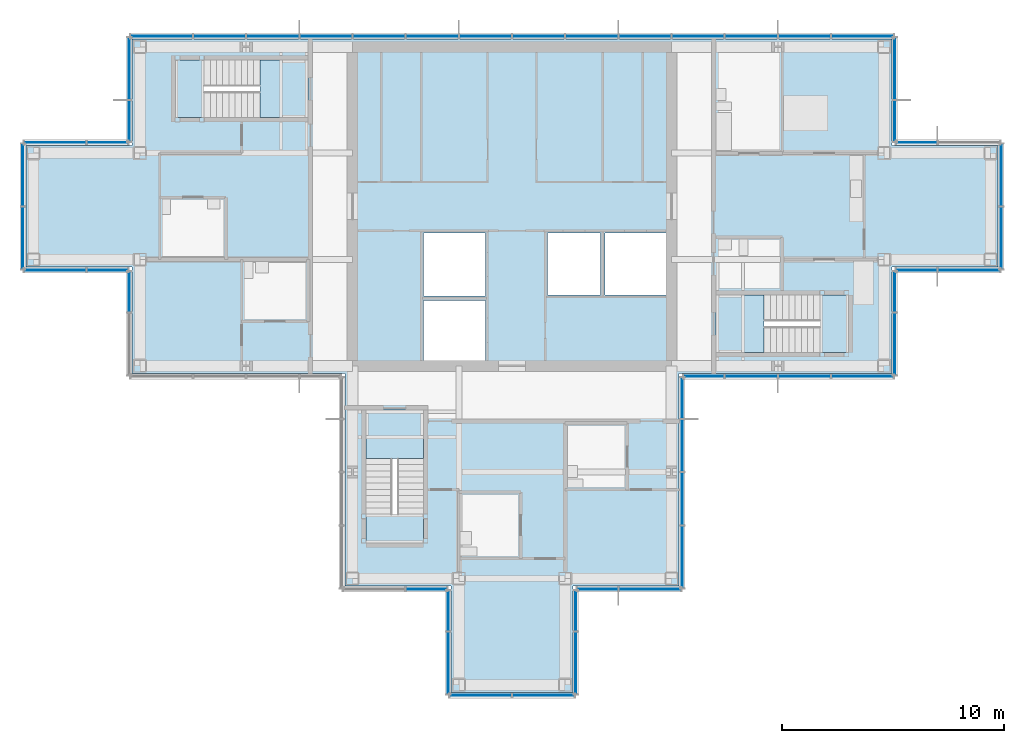
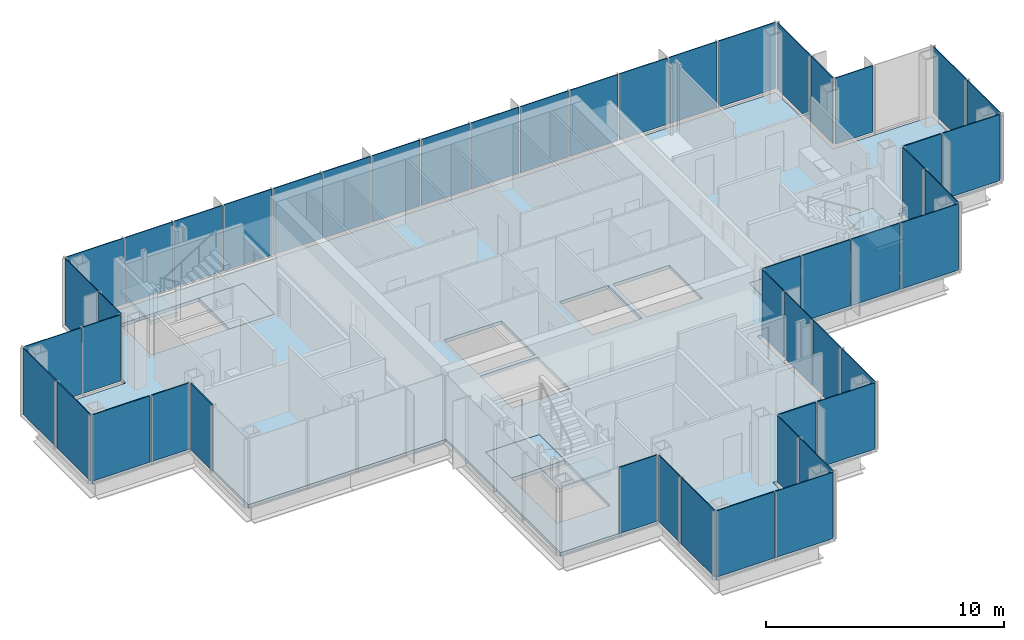
# One storey, part 9 of 15: 49 plates, 7 slabs, 21 elements without a shape of their own.
"""IFC4 building model written with IfcOpenShell, lengths in metres."""

from ifc_helpers import new_model, si_unit, direction, frame, origin, origin_2d, place, context, subcontext, project, spatial, polyline, rectangle, outline, extrude, material, layer, layer_set, type_object, element, aggregate, save


model = new_model("IFC4")

# Units and contexts
model_context = context("Model", 3, precision=1e-05, world=origin(), true_north=direction((0.0, 1.0)))
body_context = subcontext(model_context, "Body", "Model", "MODEL_VIEW")
ifc_project = project(units=[si_unit("LENGTHUNIT", "METRE"), si_unit("AREAUNIT", "SQUARE_METRE"), si_unit("VOLUMEUNIT", "CUBIC_METRE"), si_unit("PLANEANGLEUNIT", "RADIAN"), si_unit("MASSUNIT", "GRAM", prefix="KILO")], contexts=[model_context])

# Site, building, storey
site_placement = place(None, origin())
site = spatial("IfcSite", under=ifc_project, at=site_placement, CompositionType="ELEMENT")
building_placement = place(site_placement, origin())
building = spatial("IfcBuilding", under=site, at=building_placement, Name="Kvirike Care Tower", CompositionType="ELEMENT")
storey_placement = place(building_placement, frame((0.0, 0.0, 233.0)))
storey = spatial("IfcBuildingStorey", under=building, at=storey_placement, Name="L64", CompositionType="ELEMENT", Elevation=233.0)

# Slab
ifc_material_1 = material(Name="Concrete C35/45", Category="concrete")
ifc_layer_1 = layer(ifc_material_1, 0.169921875)
ifc_layer_set_1 = layer_set([ifc_layer_1], Name="FLOOR SLAB 170")
slab_type_1 = type_object("IfcSlabType", Name="FLOOR SLAB 170", PredefinedType="FLOOR", material=ifc_layer_set_1)
slab_1_placement = place(storey_placement, frame((0.0, 0.0, -0.169921875)))
element("IfcSlab", 1, at=slab_1_placement, inside=storey, type_object=slab_type_1, Name="Floor slab L64", PredefinedType="FLOOR", context=body_context, shape_type="SweptSolid", body=[
    extrude(outline(polyline([(29.14990234375, 28.449951171875), (38.75, 28.449951171875), (38.75, 33.25), (43.550048828125, 33.25), (43.550048828125, 38.75), (38.75, 38.75), (38.75, 43.550048828125), (4.449951171875, 43.550048828125), (4.449951171875, 38.75), (-0.35009765625, 38.75), (-0.35009765625, 33.25), (4.449951171875, 33.25), (4.449951171875, 28.449951171875), (14.050048828125, 28.449951171875), (14.050048828125, 18.85009765625), (18.85009765625, 18.85009765625), (18.85009765625, 14.050048828125), (24.35009765625, 14.050048828125), (24.35009765625, 18.85009765625), (29.14990234375, 18.85009765625), (29.14990234375, 28.449951171875)]), holes=[polyline([(17.60009765625, 29.050048828125), (17.60009765625, 31.75), (20.39990234375, 31.75), (20.39990234375, 29.050048828125), (17.60009765625, 29.050048828125)]), polyline([(17.60009765625, 31.949951171875), (17.60009765625, 34.800048828125), (20.39990234375, 34.800048828125), (20.39990234375, 31.949951171875), (17.60009765625, 31.949951171875)]), polyline([(23.199951171875, 32.0), (23.199951171875, 34.800048828125), (25.60009765625, 34.800048828125), (25.60009765625, 32.0), (23.199951171875, 32.0)]), polyline([(25.800048828125, 32.0), (25.800048828125, 34.800048828125), (28.550048828125, 34.800048828125), (28.550048828125, 32.0), (25.800048828125, 32.0)]), polyline([(12.39990234375, 42.60009765625), (12.39990234375, 40.0), (6.39990234375, 40.0), (6.39990234375, 42.60009765625), (12.39990234375, 42.60009765625)]), polyline([(30.800048828125, 29.39990234375), (30.800048828125, 32.0), (36.800048828125, 32.0), (36.800048828125, 29.39990234375), (30.800048828125, 29.39990234375)]), polyline([(15.0, 26.800048828125), (17.60009765625, 26.800048828125), (17.60009765625, 20.800048828125), (15.0, 20.800048828125), (15.0, 26.800048828125)])]), origin(), (0.0, 0.0, 1.0), 0.169921875),
])

# Stair, slabs
ifc_material_2 = material(Name="Concrete C35/45", Category="concrete")
stair_type = type_object("IfcStairType", Name="STAIR 20 RISERS", PredefinedType="HALF_TURN_STAIR", material=ifc_material_2)
stair_1_placement = place(storey_placement, origin())
stair_1 = element("IfcStair", 2, at=stair_1_placement, inside=storey, type_object=stair_type, Name="Stair 1 L64", PredefinedType="HALF_TURN_STAIR")
ifc_material_3 = material(Name="Concrete C35/45", Category="concrete")
ifc_layer_2 = layer(ifc_material_3, 0.199951171875)
ifc_layer_set_2 = layer_set([ifc_layer_2], Name="STAIR LANDING 200")
slab_type_2 = type_object("IfcSlabType", Name="STAIR LANDING 200", PredefinedType="LANDING", material=ifc_layer_set_2)
slab_2_placement = place(storey_placement, frame((0.0, 0.0, -0.199951171875)))
slab_2 = element("IfcSlab", 3, at=slab_2_placement, type_object=slab_type_2, Name="Stair S1 floor landing L64", PredefinedType="LANDING", context=body_context, shape_type="SweptSolid", body=[
    extrude(outline(polyline([(10.219970703125, 42.60009765625), (10.219970703125, 40.0), (12.39990234375, 40.0), (12.39990234375, 42.60009765625), (10.219970703125, 42.60009765625)])), origin(), (0.0, 0.0, 1.0), 0.199951171875),
])
slab_3_placement = place(storey_placement, frame((0.0, 0.0, 1.550048828125)))
slab_3 = element("IfcSlab", 4, at=slab_3_placement, type_object=slab_type_2, Name="Stair S1 half landing L64-L65", PredefinedType="LANDING", context=body_context, shape_type="SweptSolid", body=[
    extrude(outline(polyline([(6.39990234375, 42.60009765625), (6.39990234375, 40.0), (7.699951171875, 40.0), (7.699951171875, 42.60009765625), (6.39990234375, 42.60009765625)])), origin(), (0.0, 0.0, 1.0), 0.199951171875),
])
aggregate(stair_1, [slab_2, slab_3])

stair_2_placement = place(storey_placement, origin())
stair_2 = element("IfcStair", 5, at=stair_2_placement, inside=storey, type_object=stair_type, Name="Stair 2 L64", PredefinedType="HALF_TURN_STAIR")
slab_4_placement = place(storey_placement, frame((0.0, 0.0, -0.199951171875)))
slab_4 = element("IfcSlab", 6, at=slab_4_placement, type_object=slab_type_2, Name="Stair S2 floor landing L64", PredefinedType="LANDING", context=body_context, shape_type="SweptSolid", body=[
    extrude(outline(polyline([(32.97998046875, 29.39990234375), (32.97998046875, 32.0), (30.800048828125, 32.0), (30.800048828125, 29.39990234375), (32.97998046875, 29.39990234375)])), origin(), (0.0, 0.0, 1.0), 0.199951171875),
])
slab_5_placement = place(storey_placement, frame((0.0, 0.0, 1.550048828125)))
slab_5 = element("IfcSlab", 7, at=slab_5_placement, type_object=slab_type_2, Name="Stair S2 half landing L64-L65", PredefinedType="LANDING", context=body_context, shape_type="SweptSolid", body=[
    extrude(outline(polyline([(36.800048828125, 29.39990234375), (36.800048828125, 32.0), (35.5, 32.0), (35.5, 29.39990234375), (36.800048828125, 29.39990234375)])), origin(), (0.0, 0.0, 1.0), 0.199951171875),
])
aggregate(stair_2, [slab_4, slab_5])

stair_3_placement = place(storey_placement, origin())
stair_3 = element("IfcStair", 8, at=stair_3_placement, inside=storey, type_object=stair_type, Name="Stair 5 L64", PredefinedType="HALF_TURN_STAIR")
slab_6_placement = place(storey_placement, frame((0.0, 0.0, -0.199951171875)))
slab_6 = element("IfcSlab", 9, at=slab_6_placement, type_object=slab_type_2, Name="Stair S5 floor landing L64", PredefinedType="LANDING", context=body_context, shape_type="SweptSolid", body=[
    extrude(outline(polyline([(15.0, 24.6201171875), (17.60009765625, 24.6201171875), (17.60009765625, 26.800048828125), (15.0, 26.800048828125), (15.0, 24.6201171875)])), origin(), (0.0, 0.0, 1.0), 0.199951171875),
])
slab_7_placement = place(storey_placement, frame((0.0, 0.0, 1.550048828125)))
slab_7 = element("IfcSlab", 10, at=slab_7_placement, type_object=slab_type_2, Name="Stair S5 half landing L64-L65", PredefinedType="LANDING", context=body_context, shape_type="SweptSolid", body=[
    extrude(outline(polyline([(15.0, 20.800048828125), (17.60009765625, 20.800048828125), (17.60009765625, 22.10009765625), (15.0, 22.10009765625), (15.0, 20.800048828125)])), origin(), (0.0, 0.0, 1.0), 0.199951171875),
])
aggregate(stair_3, [slab_6, slab_7])

# Curtain wall, plates
ifc_material_4 = material(Name="Anodised aluminium stick system", Category="aluminium")
curtain_wall_type = type_object("IfcCurtainWallType", Name="CW-D STICK CURTAIN WALL", PredefinedType="NOTDEFINED", material=ifc_material_4)
curtain_wall_1_placement = place(storey_placement, origin())
curtain_wall_1 = element("IfcCurtainWall", 11, at=curtain_wall_1_placement, inside=storey, type_object=curtain_wall_type, Name="Curtain wall L64 face 1", PredefinedType="NOTDEFINED")
ifc_material_5 = material(Name="Tinted double glazed unit", Category="glass")
ifc_layer_3 = layer(ifc_material_5, 0.0439453125)
ifc_layer_set_3 = layer_set([ifc_layer_3], Name="TINTED VISION PANEL 44")
plate_type = type_object("IfcPlateType", Name="TINTED VISION PANEL 44", PredefinedType="CURTAIN_PANEL", material=ifc_layer_set_3)
plate_1_placement = place(storey_placement, frame((30.25634765625, 28.320068359375, 0.10009765625), z_axis=(0.0, 0.0, 1.0), x_axis=(1.0, 0.0, 0.0)))
plate_1 = element("IfcPlate", 12, at=plate_1_placement, type_object=plate_type, Name="CW-D panel L64 face 1.1", PredefinedType="CURTAIN_PANEL", context=body_context, shape_type="SweptSolid", body=[
    extrude(rectangle(XDim=1.822509765625, YDim=0.0439453125, at=origin_2d()), origin(), (0.0, 0.0, 1.0), 3.39990234375),
])
plate_2_placement = place(storey_placement, frame((32.39990234375, 28.320068359375, 0.10009765625), z_axis=(0.0, 0.0, 1.0), x_axis=(1.0, 0.0, 0.0)))
plate_2 = element("IfcPlate", 13, at=plate_2_placement, type_object=plate_type, Name="CW-D panel L64 face 1.2", PredefinedType="CURTAIN_PANEL", context=body_context, shape_type="SweptSolid", body=[
    extrude(rectangle(XDim=2.3349609375, YDim=0.0439453125, at=origin_2d()), origin(), (0.0, 0.0, 1.0), 3.39990234375),
])
plate_3_placement = place(storey_placement, frame((34.800048828125, 28.320068359375, 0.10009765625), z_axis=(0.0, 0.0, 1.0), x_axis=(1.0, 0.0, 0.0)))
plate_3 = element("IfcPlate", 14, at=plate_3_placement, type_object=plate_type, Name="CW-D panel L64 face 1.3", PredefinedType="CURTAIN_PANEL", context=body_context, shape_type="SweptSolid", body=[
    extrude(rectangle(XDim=2.3349609375, YDim=0.0439453125, at=origin_2d()), origin(), (0.0, 0.0, 1.0), 3.39990234375),
])
plate_4_placement = place(storey_placement, frame((37.423828125, 28.320068359375, 0.10009765625), z_axis=(0.0, 0.0, 1.0), x_axis=(1.0, 0.0, 0.0)))
plate_4 = element("IfcPlate", 15, at=plate_4_placement, type_object=plate_type, Name="CW-D panel L64 face 1.4", PredefinedType="CURTAIN_PANEL", context=body_context, shape_type="SweptSolid", body=[
    extrude(rectangle(XDim=2.782470703125, YDim=0.0439453125, at=origin_2d()), origin(), (0.0, 0.0, 1.0), 3.39990234375),
])
aggregate(curtain_wall_1, [plate_1, plate_2, plate_3, plate_4])

curtain_wall_2_placement = place(storey_placement, origin())
curtain_wall_2 = element("IfcCurtainWall", 16, at=curtain_wall_2_placement, inside=storey, type_object=curtain_wall_type, Name="Curtain wall L64 face 2", PredefinedType="NOTDEFINED")
plate_5_placement = place(storey_placement, frame((38.8798828125, 29.7763671875, 0.10009765625), z_axis=(0.0, 0.0, 1.0), x_axis=(0.0, 1.0, 0.0)))
plate_5 = element("IfcPlate", 17, at=plate_5_placement, type_object=plate_type, Name="CW-D panel L64 face 2.1", PredefinedType="CURTAIN_PANEL", context=body_context, shape_type="SweptSolid", body=[
    extrude(rectangle(XDim=2.782470703125, YDim=0.0439453125, at=origin_2d()), origin(), (0.0, 0.0, 1.0), 3.39990234375),
])
plate_6_placement = place(storey_placement, frame((38.8798828125, 32.143798828125, 0.10009765625), z_axis=(0.0, 0.0, 1.0), x_axis=(0.0, 1.0, 0.0)))
plate_6 = element("IfcPlate", 18, at=plate_6_placement, type_object=plate_type, Name="CW-D panel L64 face 2.2", PredefinedType="CURTAIN_PANEL", context=body_context, shape_type="SweptSolid", body=[
    extrude(rectangle(XDim=1.822509765625, YDim=0.0439453125, at=origin_2d()), origin(), (0.0, 0.0, 1.0), 3.39990234375),
])
aggregate(curtain_wall_2, [plate_5, plate_6])

curtain_wall_3_placement = place(storey_placement, origin())
curtain_wall_3 = element("IfcCurtainWall", 19, at=curtain_wall_3_placement, inside=storey, type_object=curtain_wall_type, Name="Curtain wall L64 face 3", PredefinedType="NOTDEFINED")
plate_7_placement = place(storey_placement, frame((39.856201171875, 33.1201171875, 0.10009765625), z_axis=(0.0, 0.0, 1.0), x_axis=(1.0, 0.0, 0.0)))
plate_7 = element("IfcPlate", 20, at=plate_7_placement, type_object=plate_type, Name="CW-D panel L64 face 3.1", PredefinedType="CURTAIN_PANEL", context=body_context, shape_type="SweptSolid", body=[
    extrude(rectangle(XDim=1.822509765625, YDim=0.0439453125, at=origin_2d()), origin(), (0.0, 0.0, 1.0), 3.39990234375),
])
plate_8_placement = place(storey_placement, frame((42.2236328125, 33.1201171875, 0.10009765625), z_axis=(0.0, 0.0, 1.0), x_axis=(1.0, 0.0, 0.0)))
plate_8 = element("IfcPlate", 21, at=plate_8_placement, type_object=plate_type, Name="CW-D panel L64 face 3.2", PredefinedType="CURTAIN_PANEL", context=body_context, shape_type="SweptSolid", body=[
    extrude(rectangle(XDim=2.782470703125, YDim=0.0439453125, at=origin_2d()), origin(), (0.0, 0.0, 1.0), 3.39990234375),
])
aggregate(curtain_wall_3, [plate_7, plate_8])

curtain_wall_4_placement = place(storey_placement, origin())
curtain_wall_4 = element("IfcCurtainWall", 22, at=curtain_wall_4_placement, inside=storey, type_object=curtain_wall_type, Name="Curtain wall L64 face 4", PredefinedType="NOTDEFINED")
plate_9_placement = place(storey_placement, frame((43.679931640625, 34.576171875, 0.10009765625), z_axis=(0.0, 0.0, 1.0), x_axis=(0.0, 1.0, 0.0)))
plate_9 = element("IfcPlate", 23, at=plate_9_placement, type_object=plate_type, Name="CW-D panel L64 face 4.1", PredefinedType="CURTAIN_PANEL", context=body_context, shape_type="SweptSolid", body=[
    extrude(rectangle(XDim=2.782470703125, YDim=0.0439453125, at=origin_2d()), origin(), (0.0, 0.0, 1.0), 3.39990234375),
])
plate_10_placement = place(storey_placement, frame((43.679931640625, 37.423828125, 0.10009765625), z_axis=(0.0, 0.0, 1.0), x_axis=(0.0, 1.0, 0.0)))
plate_10 = element("IfcPlate", 24, at=plate_10_placement, type_object=plate_type, Name="CW-D panel L64 face 4.2", PredefinedType="CURTAIN_PANEL", context=body_context, shape_type="SweptSolid", body=[
    extrude(rectangle(XDim=2.782470703125, YDim=0.0439453125, at=origin_2d()), origin(), (0.0, 0.0, 1.0), 3.39990234375),
])
aggregate(curtain_wall_4, [plate_9, plate_10])

# Curtain wall, plate
curtain_wall_5_placement = place(storey_placement, origin())
curtain_wall_5 = element("IfcCurtainWall", 25, at=curtain_wall_5_placement, inside=storey, type_object=curtain_wall_type, Name="Curtain wall L64 face 5", PredefinedType="NOTDEFINED")
plate_11_placement = place(storey_placement, frame((39.856201171875, 38.8798828125, 0.10009765625), z_axis=(0.0, 0.0, 1.0), x_axis=(-1.0, 0.0, 0.0)))
plate_11 = element("IfcPlate", 26, at=plate_11_placement, type_object=plate_type, Name="CW-D panel L64 face 5.2", PredefinedType="CURTAIN_PANEL", context=body_context, shape_type="SweptSolid", body=[
    extrude(rectangle(XDim=1.822509765625, YDim=0.0439453125, at=origin_2d()), origin(), (0.0, 0.0, 1.0), 3.39990234375),
])
aggregate(curtain_wall_5, [plate_11])

# Curtain wall, plates
curtain_wall_6_placement = place(storey_placement, origin())
curtain_wall_6 = element("IfcCurtainWall", 27, at=curtain_wall_6_placement, inside=storey, type_object=curtain_wall_type, Name="Curtain wall L64 face 6", PredefinedType="NOTDEFINED")
plate_12_placement = place(storey_placement, frame((38.8798828125, 39.856201171875, 0.10009765625), z_axis=(0.0, 0.0, 1.0), x_axis=(0.0, 1.0, 0.0)))
plate_12 = element("IfcPlate", 28, at=plate_12_placement, type_object=plate_type, Name="CW-D panel L64 face 6.1", PredefinedType="CURTAIN_PANEL", context=body_context, shape_type="SweptSolid", body=[
    extrude(rectangle(XDim=1.822509765625, YDim=0.0439453125, at=origin_2d()), origin(), (0.0, 0.0, 1.0), 3.39990234375),
])
plate_13_placement = place(storey_placement, frame((38.8798828125, 42.2236328125, 0.10009765625), z_axis=(0.0, 0.0, 1.0), x_axis=(0.0, 1.0, 0.0)))
plate_13 = element("IfcPlate", 29, at=plate_13_placement, type_object=plate_type, Name="CW-D panel L64 face 6.2", PredefinedType="CURTAIN_PANEL", context=body_context, shape_type="SweptSolid", body=[
    extrude(rectangle(XDim=2.782470703125, YDim=0.0439453125, at=origin_2d()), origin(), (0.0, 0.0, 1.0), 3.39990234375),
])
aggregate(curtain_wall_6, [plate_12, plate_13])

curtain_wall_7_placement = place(storey_placement, origin())
curtain_wall_7 = element("IfcCurtainWall", 30, at=curtain_wall_7_placement, inside=storey, type_object=curtain_wall_type, Name="Curtain wall L64 face 7", PredefinedType="NOTDEFINED")
plate_14_placement = place(storey_placement, frame((37.423828125, 43.679931640625, 0.10009765625), z_axis=(0.0, 0.0, 1.0), x_axis=(-1.0, 0.0, 0.0)))
plate_14 = element("IfcPlate", 31, at=plate_14_placement, type_object=plate_type, Name="CW-D panel L64 face 7.1", PredefinedType="CURTAIN_PANEL", context=body_context, shape_type="SweptSolid", body=[
    extrude(rectangle(XDim=2.782470703125, YDim=0.0439453125, at=origin_2d()), origin(), (0.0, 0.0, 1.0), 3.39990234375),
])
plate_15_placement = place(storey_placement, frame((34.800048828125, 43.679931640625, 0.10009765625), z_axis=(0.0, 0.0, 1.0), x_axis=(-1.0, 0.0, 0.0)))
plate_15 = element("IfcPlate", 32, at=plate_15_placement, type_object=plate_type, Name="CW-D panel L64 face 7.2", PredefinedType="CURTAIN_PANEL", context=body_context, shape_type="SweptSolid", body=[
    extrude(rectangle(XDim=2.3349609375, YDim=0.0439453125, at=origin_2d()), origin(), (0.0, 0.0, 1.0), 3.39990234375),
])
plate_16_placement = place(storey_placement, frame((32.39990234375, 43.679931640625, 0.10009765625), z_axis=(0.0, 0.0, 1.0), x_axis=(-1.0, 0.0, 0.0)))
plate_16 = element("IfcPlate", 33, at=plate_16_placement, type_object=plate_type, Name="CW-D panel L64 face 7.3", PredefinedType="CURTAIN_PANEL", context=body_context, shape_type="SweptSolid", body=[
    extrude(rectangle(XDim=2.3349609375, YDim=0.0439453125, at=origin_2d()), origin(), (0.0, 0.0, 1.0), 3.39990234375),
])
plate_17_placement = place(storey_placement, frame((30.0, 43.679931640625, 0.10009765625), z_axis=(0.0, 0.0, 1.0), x_axis=(-1.0, 0.0, 0.0)))
plate_17 = element("IfcPlate", 34, at=plate_17_placement, type_object=plate_type, Name="CW-D panel L64 face 7.4", PredefinedType="CURTAIN_PANEL", context=body_context, shape_type="SweptSolid", body=[
    extrude(rectangle(XDim=2.3349609375, YDim=0.0439453125, at=origin_2d()), origin(), (0.0, 0.0, 1.0), 3.39990234375),
])
plate_18_placement = place(storey_placement, frame((27.60009765625, 43.679931640625, 0.10009765625), z_axis=(0.0, 0.0, 1.0), x_axis=(-1.0, 0.0, 0.0)))
plate_18 = element("IfcPlate", 35, at=plate_18_placement, type_object=plate_type, Name="CW-D panel L64 face 7.5", PredefinedType="CURTAIN_PANEL", context=body_context, shape_type="SweptSolid", body=[
    extrude(rectangle(XDim=2.3349609375, YDim=0.0439453125, at=origin_2d()), origin(), (0.0, 0.0, 1.0), 3.39990234375),
])
plate_19_placement = place(storey_placement, frame((25.199951171875, 43.679931640625, 0.10009765625), z_axis=(0.0, 0.0, 1.0), x_axis=(-1.0, 0.0, 0.0)))
plate_19 = element("IfcPlate", 36, at=plate_19_placement, type_object=plate_type, Name="CW-D panel L64 face 7.6", PredefinedType="CURTAIN_PANEL", context=body_context, shape_type="SweptSolid", body=[
    extrude(rectangle(XDim=2.3349609375, YDim=0.0439453125, at=origin_2d()), origin(), (0.0, 0.0, 1.0), 3.39990234375),
])
plate_20_placement = place(storey_placement, frame((22.800048828125, 43.679931640625, 0.10009765625), z_axis=(0.0, 0.0, 1.0), x_axis=(-1.0, 0.0, 0.0)))
plate_20 = element("IfcPlate", 37, at=plate_20_placement, type_object=plate_type, Name="CW-D panel L64 face 7.7", PredefinedType="CURTAIN_PANEL", context=body_context, shape_type="SweptSolid", body=[
    extrude(rectangle(XDim=2.3349609375, YDim=0.0439453125, at=origin_2d()), origin(), (0.0, 0.0, 1.0), 3.39990234375),
])
plate_21_placement = place(storey_placement, frame((20.39990234375, 43.679931640625, 0.10009765625), z_axis=(0.0, 0.0, 1.0), x_axis=(-1.0, 0.0, 0.0)))
plate_21 = element("IfcPlate", 38, at=plate_21_placement, type_object=plate_type, Name="CW-D panel L64 face 7.8", PredefinedType="CURTAIN_PANEL", context=body_context, shape_type="SweptSolid", body=[
    extrude(rectangle(XDim=2.3349609375, YDim=0.0439453125, at=origin_2d()), origin(), (0.0, 0.0, 1.0), 3.39990234375),
])
plate_22_placement = place(storey_placement, frame((18.0, 43.679931640625, 0.10009765625), z_axis=(0.0, 0.0, 1.0), x_axis=(-1.0, 0.0, 0.0)))
plate_22 = element("IfcPlate", 39, at=plate_22_placement, type_object=plate_type, Name="CW-D panel L64 face 7.9", PredefinedType="CURTAIN_PANEL", context=body_context, shape_type="SweptSolid", body=[
    extrude(rectangle(XDim=2.3349609375, YDim=0.0439453125, at=origin_2d()), origin(), (0.0, 0.0, 1.0), 3.39990234375),
])
plate_23_placement = place(storey_placement, frame((15.60009765625, 43.679931640625, 0.10009765625), z_axis=(0.0, 0.0, 1.0), x_axis=(-1.0, 0.0, 0.0)))
plate_23 = element("IfcPlate", 40, at=plate_23_placement, type_object=plate_type, Name="CW-D panel L64 face 7.10", PredefinedType="CURTAIN_PANEL", context=body_context, shape_type="SweptSolid", body=[
    extrude(rectangle(XDim=2.3349609375, YDim=0.0439453125, at=origin_2d()), origin(), (0.0, 0.0, 1.0), 3.39990234375),
])
plate_24_placement = place(storey_placement, frame((13.199951171875, 43.679931640625, 0.10009765625), z_axis=(0.0, 0.0, 1.0), x_axis=(-1.0, 0.0, 0.0)))
plate_24 = element("IfcPlate", 41, at=plate_24_placement, type_object=plate_type, Name="CW-D panel L64 face 7.11", PredefinedType="CURTAIN_PANEL", context=body_context, shape_type="SweptSolid", body=[
    extrude(rectangle(XDim=2.3349609375, YDim=0.0439453125, at=origin_2d()), origin(), (0.0, 0.0, 1.0), 3.39990234375),
])
plate_25_placement = place(storey_placement, frame((10.800048828125, 43.679931640625, 0.10009765625), z_axis=(0.0, 0.0, 1.0), x_axis=(-1.0, 0.0, 0.0)))
plate_25 = element("IfcPlate", 42, at=plate_25_placement, type_object=plate_type, Name="CW-D panel L64 face 7.12", PredefinedType="CURTAIN_PANEL", context=body_context, shape_type="SweptSolid", body=[
    extrude(rectangle(XDim=2.3349609375, YDim=0.0439453125, at=origin_2d()), origin(), (0.0, 0.0, 1.0), 3.39990234375),
])
plate_26_placement = place(storey_placement, frame((8.39990234375, 43.679931640625, 0.10009765625), z_axis=(0.0, 0.0, 1.0), x_axis=(-1.0, 0.0, 0.0)))
plate_26 = element("IfcPlate", 43, at=plate_26_placement, type_object=plate_type, Name="CW-D panel L64 face 7.13", PredefinedType="CURTAIN_PANEL", context=body_context, shape_type="SweptSolid", body=[
    extrude(rectangle(XDim=2.3349609375, YDim=0.0439453125, at=origin_2d()), origin(), (0.0, 0.0, 1.0), 3.39990234375),
])
plate_27_placement = place(storey_placement, frame((5.7763671875, 43.679931640625, 0.10009765625), z_axis=(0.0, 0.0, 1.0), x_axis=(-1.0, 0.0, 0.0)))
plate_27 = element("IfcPlate", 44, at=plate_27_placement, type_object=plate_type, Name="CW-D panel L64 face 7.14", PredefinedType="CURTAIN_PANEL", context=body_context, shape_type="SweptSolid", body=[
    extrude(rectangle(XDim=2.782470703125, YDim=0.0439453125, at=origin_2d()), origin(), (0.0, 0.0, 1.0), 3.39990234375),
])
aggregate(curtain_wall_7, [plate_14, plate_15, plate_16, plate_17, plate_18, plate_19, plate_20, plate_21, plate_22, plate_23, plate_24, plate_25, plate_26, plate_27])

curtain_wall_8_placement = place(storey_placement, origin())
curtain_wall_8 = element("IfcCurtainWall", 45, at=curtain_wall_8_placement, inside=storey, type_object=curtain_wall_type, Name="Curtain wall L64 face 8", PredefinedType="NOTDEFINED")
plate_28_placement = place(storey_placement, frame((4.320068359375, 42.2236328125, 0.10009765625), z_axis=(0.0, 0.0, 1.0), x_axis=(0.0, -1.0, 0.0)))
plate_28 = element("IfcPlate", 46, at=plate_28_placement, type_object=plate_type, Name="CW-D panel L64 face 8.1", PredefinedType="CURTAIN_PANEL", context=body_context, shape_type="SweptSolid", body=[
    extrude(rectangle(XDim=2.782470703125, YDim=0.0439453125, at=origin_2d()), origin(), (0.0, 0.0, 1.0), 3.39990234375),
])
plate_29_placement = place(storey_placement, frame((4.320068359375, 39.856201171875, 0.10009765625), z_axis=(0.0, 0.0, 1.0), x_axis=(0.0, -1.0, 0.0)))
plate_29 = element("IfcPlate", 47, at=plate_29_placement, type_object=plate_type, Name="CW-D panel L64 face 8.2", PredefinedType="CURTAIN_PANEL", context=body_context, shape_type="SweptSolid", body=[
    extrude(rectangle(XDim=1.822509765625, YDim=0.0439453125, at=origin_2d()), origin(), (0.0, 0.0, 1.0), 3.39990234375),
])
aggregate(curtain_wall_8, [plate_28, plate_29])

curtain_wall_9_placement = place(storey_placement, origin())
curtain_wall_9 = element("IfcCurtainWall", 48, at=curtain_wall_9_placement, inside=storey, type_object=curtain_wall_type, Name="Curtain wall L64 face 9", PredefinedType="NOTDEFINED")
plate_30_placement = place(storey_placement, frame((3.34375, 38.8798828125, 0.10009765625), z_axis=(0.0, 0.0, 1.0), x_axis=(-1.0, 0.0, 0.0)))
plate_30 = element("IfcPlate", 49, at=plate_30_placement, type_object=plate_type, Name="CW-D panel L64 face 9.1", PredefinedType="CURTAIN_PANEL", context=body_context, shape_type="SweptSolid", body=[
    extrude(rectangle(XDim=1.822509765625, YDim=0.0439453125, at=origin_2d()), origin(), (0.0, 0.0, 1.0), 3.39990234375),
])
plate_31_placement = place(storey_placement, frame((0.976318359375, 38.8798828125, 0.10009765625), z_axis=(0.0, 0.0, 1.0), x_axis=(-1.0, 0.0, 0.0)))
plate_31 = element("IfcPlate", 50, at=plate_31_placement, type_object=plate_type, Name="CW-D panel L64 face 9.2", PredefinedType="CURTAIN_PANEL", context=body_context, shape_type="SweptSolid", body=[
    extrude(rectangle(XDim=2.782470703125, YDim=0.0439453125, at=origin_2d()), origin(), (0.0, 0.0, 1.0), 3.39990234375),
])
aggregate(curtain_wall_9, [plate_30, plate_31])

curtain_wall_10_placement = place(storey_placement, origin())
curtain_wall_10 = element("IfcCurtainWall", 51, at=curtain_wall_10_placement, inside=storey, type_object=curtain_wall_type, Name="Curtain wall L64 face 10", PredefinedType="NOTDEFINED")
plate_32_placement = place(storey_placement, frame((-0.47998046875, 37.423828125, 0.10009765625), z_axis=(0.0, 0.0, 1.0), x_axis=(0.0, -1.0, 0.0)))
plate_32 = element("IfcPlate", 52, at=plate_32_placement, type_object=plate_type, Name="CW-D panel L64 face 10.1", PredefinedType="CURTAIN_PANEL", context=body_context, shape_type="SweptSolid", body=[
    extrude(rectangle(XDim=2.782470703125, YDim=0.0439453125, at=origin_2d()), origin(), (0.0, 0.0, 1.0), 3.39990234375),
])
plate_33_placement = place(storey_placement, frame((-0.47998046875, 34.576171875, 0.10009765625), z_axis=(0.0, 0.0, 1.0), x_axis=(0.0, -1.0, 0.0)))
plate_33 = element("IfcPlate", 53, at=plate_33_placement, type_object=plate_type, Name="CW-D panel L64 face 10.2", PredefinedType="CURTAIN_PANEL", context=body_context, shape_type="SweptSolid", body=[
    extrude(rectangle(XDim=2.782470703125, YDim=0.0439453125, at=origin_2d()), origin(), (0.0, 0.0, 1.0), 3.39990234375),
])
aggregate(curtain_wall_10, [plate_32, plate_33])

curtain_wall_11_placement = place(storey_placement, origin())
curtain_wall_11 = element("IfcCurtainWall", 54, at=curtain_wall_11_placement, inside=storey, type_object=curtain_wall_type, Name="Curtain wall L64 face 11", PredefinedType="NOTDEFINED")
plate_34_placement = place(storey_placement, frame((0.976318359375, 33.1201171875, 0.10009765625), z_axis=(0.0, 0.0, 1.0), x_axis=(1.0, 0.0, 0.0)))
plate_34 = element("IfcPlate", 55, at=plate_34_placement, type_object=plate_type, Name="CW-D panel L64 face 11.1", PredefinedType="CURTAIN_PANEL", context=body_context, shape_type="SweptSolid", body=[
    extrude(rectangle(XDim=2.782470703125, YDim=0.0439453125, at=origin_2d()), origin(), (0.0, 0.0, 1.0), 3.39990234375),
])
plate_35_placement = place(storey_placement, frame((3.34375, 33.1201171875, 0.10009765625), z_axis=(0.0, 0.0, 1.0), x_axis=(1.0, 0.0, 0.0)))
plate_35 = element("IfcPlate", 56, at=plate_35_placement, type_object=plate_type, Name="CW-D panel L64 face 11.2", PredefinedType="CURTAIN_PANEL", context=body_context, shape_type="SweptSolid", body=[
    extrude(rectangle(XDim=1.822509765625, YDim=0.0439453125, at=origin_2d()), origin(), (0.0, 0.0, 1.0), 3.39990234375),
])
aggregate(curtain_wall_11, [plate_34, plate_35])

# Curtain wall, plate
curtain_wall_12_placement = place(storey_placement, origin())
curtain_wall_12 = element("IfcCurtainWall", 57, at=curtain_wall_12_placement, inside=storey, type_object=curtain_wall_type, Name="Curtain wall L64 face 12", PredefinedType="NOTDEFINED")
plate_36_placement = place(storey_placement, frame((4.320068359375, 32.143798828125, 0.10009765625), z_axis=(0.0, 0.0, 1.0), x_axis=(0.0, -1.0, 0.0)))
plate_36 = element("IfcPlate", 58, at=plate_36_placement, type_object=plate_type, Name="CW-D panel L64 face 12.1", PredefinedType="CURTAIN_PANEL", context=body_context, shape_type="SweptSolid", body=[
    extrude(rectangle(XDim=1.822509765625, YDim=0.0439453125, at=origin_2d()), origin(), (0.0, 0.0, 1.0), 3.39990234375),
])
aggregate(curtain_wall_12, [plate_36])

curtain_wall_13_placement = place(storey_placement, origin())
curtain_wall_13 = element("IfcCurtainWall", 59, at=curtain_wall_13_placement, inside=storey, type_object=curtain_wall_type, Name="Curtain wall L64 face 15", PredefinedType="NOTDEFINED")
plate_37_placement = place(storey_placement, frame((17.74365234375, 18.719970703125, 0.10009765625), z_axis=(0.0, 0.0, 1.0), x_axis=(1.0, 0.0, 0.0)))
plate_37 = element("IfcPlate", 60, at=plate_37_placement, type_object=plate_type, Name="CW-D panel L64 face 15.2", PredefinedType="CURTAIN_PANEL", context=body_context, shape_type="SweptSolid", body=[
    extrude(rectangle(XDim=1.822509765625, YDim=0.0439453125, at=origin_2d()), origin(), (0.0, 0.0, 1.0), 3.39990234375),
])
aggregate(curtain_wall_13, [plate_37])

# Curtain wall, plates
curtain_wall_14_placement = place(storey_placement, origin())
curtain_wall_14 = element("IfcCurtainWall", 61, at=curtain_wall_14_placement, inside=storey, type_object=curtain_wall_type, Name="Curtain wall L64 face 16", PredefinedType="NOTDEFINED")
plate_38_placement = place(storey_placement, frame((18.719970703125, 17.74365234375, 0.10009765625), z_axis=(0.0, 0.0, 1.0), x_axis=(0.0, -1.0, 0.0)))
plate_38 = element("IfcPlate", 62, at=plate_38_placement, type_object=plate_type, Name="CW-D panel L64 face 16.1", PredefinedType="CURTAIN_PANEL", context=body_context, shape_type="SweptSolid", body=[
    extrude(rectangle(XDim=1.822509765625, YDim=0.0439453125, at=origin_2d()), origin(), (0.0, 0.0, 1.0), 3.39990234375),
])
plate_39_placement = place(storey_placement, frame((18.719970703125, 15.376220703125, 0.10009765625), z_axis=(0.0, 0.0, 1.0), x_axis=(0.0, -1.0, 0.0)))
plate_39 = element("IfcPlate", 63, at=plate_39_placement, type_object=plate_type, Name="CW-D panel L64 face 16.2", PredefinedType="CURTAIN_PANEL", context=body_context, shape_type="SweptSolid", body=[
    extrude(rectangle(XDim=2.782470703125, YDim=0.0439453125, at=origin_2d()), origin(), (0.0, 0.0, 1.0), 3.39990234375),
])
aggregate(curtain_wall_14, [plate_38, plate_39])

curtain_wall_15_placement = place(storey_placement, origin())
curtain_wall_15 = element("IfcCurtainWall", 64, at=curtain_wall_15_placement, inside=storey, type_object=curtain_wall_type, Name="Curtain wall L64 face 17", PredefinedType="NOTDEFINED")
plate_40_placement = place(storey_placement, frame((20.17626953125, 13.919921875, 0.10009765625), z_axis=(0.0, 0.0, 1.0), x_axis=(1.0, 0.0, 0.0)))
plate_40 = element("IfcPlate", 65, at=plate_40_placement, type_object=plate_type, Name="CW-D panel L64 face 17.1", PredefinedType="CURTAIN_PANEL", context=body_context, shape_type="SweptSolid", body=[
    extrude(rectangle(XDim=2.782470703125, YDim=0.0439453125, at=origin_2d()), origin(), (0.0, 0.0, 1.0), 3.39990234375),
])
plate_41_placement = place(storey_placement, frame((23.023681640625, 13.919921875, 0.10009765625), z_axis=(0.0, 0.0, 1.0), x_axis=(1.0, 0.0, 0.0)))
plate_41 = element("IfcPlate", 66, at=plate_41_placement, type_object=plate_type, Name="CW-D panel L64 face 17.2", PredefinedType="CURTAIN_PANEL", context=body_context, shape_type="SweptSolid", body=[
    extrude(rectangle(XDim=2.782470703125, YDim=0.0439453125, at=origin_2d()), origin(), (0.0, 0.0, 1.0), 3.39990234375),
])
aggregate(curtain_wall_15, [plate_40, plate_41])

curtain_wall_16_placement = place(storey_placement, origin())
curtain_wall_16 = element("IfcCurtainWall", 67, at=curtain_wall_16_placement, inside=storey, type_object=curtain_wall_type, Name="Curtain wall L64 face 18", PredefinedType="NOTDEFINED")
plate_42_placement = place(storey_placement, frame((24.47998046875, 15.376220703125, 0.10009765625), z_axis=(0.0, 0.0, 1.0), x_axis=(0.0, 1.0, 0.0)))
plate_42 = element("IfcPlate", 68, at=plate_42_placement, type_object=plate_type, Name="CW-D panel L64 face 18.1", PredefinedType="CURTAIN_PANEL", context=body_context, shape_type="SweptSolid", body=[
    extrude(rectangle(XDim=2.782470703125, YDim=0.0439453125, at=origin_2d()), origin(), (0.0, 0.0, 1.0), 3.39990234375),
])
plate_43_placement = place(storey_placement, frame((24.47998046875, 17.74365234375, 0.10009765625), z_axis=(0.0, 0.0, 1.0), x_axis=(0.0, 1.0, 0.0)))
plate_43 = element("IfcPlate", 69, at=plate_43_placement, type_object=plate_type, Name="CW-D panel L64 face 18.2", PredefinedType="CURTAIN_PANEL", context=body_context, shape_type="SweptSolid", body=[
    extrude(rectangle(XDim=1.822509765625, YDim=0.0439453125, at=origin_2d()), origin(), (0.0, 0.0, 1.0), 3.39990234375),
])
aggregate(curtain_wall_16, [plate_42, plate_43])

curtain_wall_17_placement = place(storey_placement, origin())
curtain_wall_17 = element("IfcCurtainWall", 70, at=curtain_wall_17_placement, inside=storey, type_object=curtain_wall_type, Name="Curtain wall L64 face 19", PredefinedType="NOTDEFINED")
plate_44_placement = place(storey_placement, frame((25.456298828125, 18.719970703125, 0.10009765625), z_axis=(0.0, 0.0, 1.0), x_axis=(1.0, 0.0, 0.0)))
plate_44 = element("IfcPlate", 71, at=plate_44_placement, type_object=plate_type, Name="CW-D panel L64 face 19.1", PredefinedType="CURTAIN_PANEL", context=body_context, shape_type="SweptSolid", body=[
    extrude(rectangle(XDim=1.822509765625, YDim=0.0439453125, at=origin_2d()), origin(), (0.0, 0.0, 1.0), 3.39990234375),
])
plate_45_placement = place(storey_placement, frame((27.82373046875, 18.719970703125, 0.10009765625), z_axis=(0.0, 0.0, 1.0), x_axis=(1.0, 0.0, 0.0)))
plate_45 = element("IfcPlate", 72, at=plate_45_placement, type_object=plate_type, Name="CW-D panel L64 face 19.2", PredefinedType="CURTAIN_PANEL", context=body_context, shape_type="SweptSolid", body=[
    extrude(rectangle(XDim=2.782470703125, YDim=0.0439453125, at=origin_2d()), origin(), (0.0, 0.0, 1.0), 3.39990234375),
])
aggregate(curtain_wall_17, [plate_44, plate_45])

curtain_wall_18_placement = place(storey_placement, origin())
curtain_wall_18 = element("IfcCurtainWall", 73, at=curtain_wall_18_placement, inside=storey, type_object=curtain_wall_type, Name="Curtain wall L64 face 20", PredefinedType="NOTDEFINED")
plate_46_placement = place(storey_placement, frame((29.280029296875, 20.17626953125, 0.10009765625), z_axis=(0.0, 0.0, 1.0), x_axis=(0.0, 1.0, 0.0)))
plate_46 = element("IfcPlate", 74, at=plate_46_placement, type_object=plate_type, Name="CW-D panel L64 face 20.1", PredefinedType="CURTAIN_PANEL", context=body_context, shape_type="SweptSolid", body=[
    extrude(rectangle(XDim=2.782470703125, YDim=0.0439453125, at=origin_2d()), origin(), (0.0, 0.0, 1.0), 3.39990234375),
])
plate_47_placement = place(storey_placement, frame((29.280029296875, 22.800048828125, 0.10009765625), z_axis=(0.0, 0.0, 1.0), x_axis=(0.0, 1.0, 0.0)))
plate_47 = element("IfcPlate", 75, at=plate_47_placement, type_object=plate_type, Name="CW-D panel L64 face 20.2", PredefinedType="CURTAIN_PANEL", context=body_context, shape_type="SweptSolid", body=[
    extrude(rectangle(XDim=2.3349609375, YDim=0.0439453125, at=origin_2d()), origin(), (0.0, 0.0, 1.0), 3.39990234375),
])
plate_48_placement = place(storey_placement, frame((29.280029296875, 25.199951171875, 0.10009765625), z_axis=(0.0, 0.0, 1.0), x_axis=(0.0, 1.0, 0.0)))
plate_48 = element("IfcPlate", 76, at=plate_48_placement, type_object=plate_type, Name="CW-D panel L64 face 20.3", PredefinedType="CURTAIN_PANEL", context=body_context, shape_type="SweptSolid", body=[
    extrude(rectangle(XDim=2.3349609375, YDim=0.0439453125, at=origin_2d()), origin(), (0.0, 0.0, 1.0), 3.39990234375),
])
plate_49_placement = place(storey_placement, frame((29.280029296875, 27.34375, 0.10009765625), z_axis=(0.0, 0.0, 1.0), x_axis=(0.0, 1.0, 0.0)))
plate_49 = element("IfcPlate", 77, at=plate_49_placement, type_object=plate_type, Name="CW-D panel L64 face 20.4", PredefinedType="CURTAIN_PANEL", context=body_context, shape_type="SweptSolid", body=[
    extrude(rectangle(XDim=1.822509765625, YDim=0.0439453125, at=origin_2d()), origin(), (0.0, 0.0, 1.0), 3.39990234375),
])
aggregate(curtain_wall_18, [plate_46, plate_47, plate_48, plate_49])

save(model, "model.ifc")
